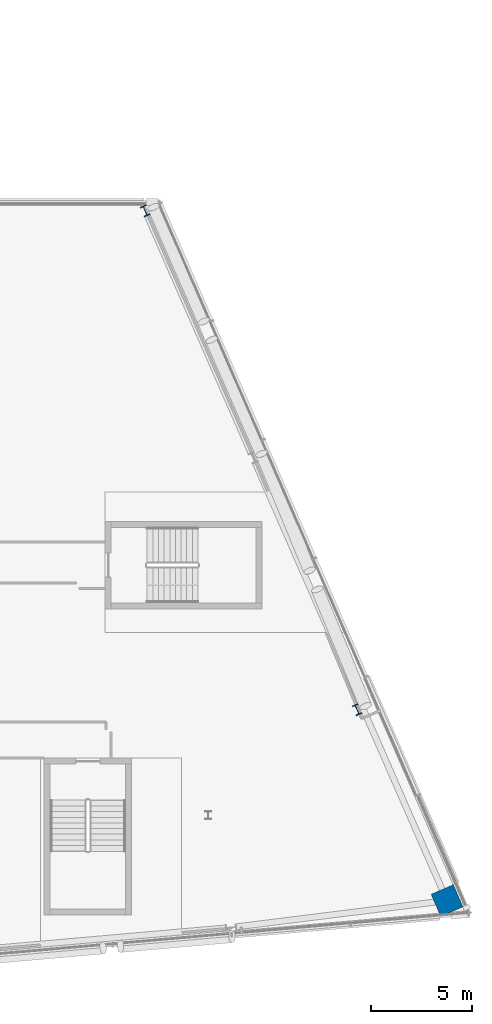
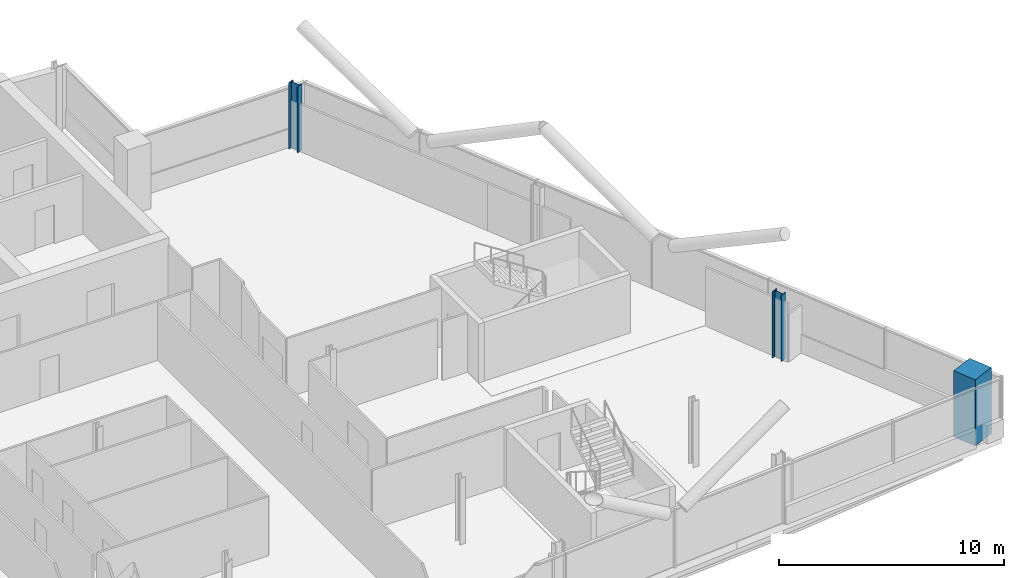
# One storey, part 4 of 26: 3 columns.
"""IFC4 building model written with IfcOpenShell, lengths in metres."""

from ifc_helpers import new_model, si_unit, direction, frame, origin, origin_2d, place, context, subcontext, project, spatial, rectangle, i_section, extrude, material, material_profile, profile_set, type_object, element, save


model = new_model("IFC4")

# Units and contexts
model_context = context("Model", 3, precision=1e-05, world=origin(), true_north=direction((0.0, 1.0)))
body_context = subcontext(model_context, "Body", "Model", "MODEL_VIEW")
ifc_project = project(units=[si_unit("LENGTHUNIT", "METRE"), si_unit("AREAUNIT", "SQUARE_METRE"), si_unit("VOLUMEUNIT", "CUBIC_METRE"), si_unit("PLANEANGLEUNIT", "RADIAN"), si_unit("MASSUNIT", "GRAM", prefix="KILO")], contexts=[model_context])

# Site, building, storey
site_placement = place(None, origin())
site = spatial("IfcSite", under=ifc_project, at=site_placement, CompositionType="ELEMENT")
building_placement = place(site_placement, origin())
building = spatial("IfcBuilding", under=site, at=building_placement, Name="Wharfspan Tower", CompositionType="ELEMENT")
storey_placement = place(building_placement, frame((0.0, 0.0, 235.899902)))
storey = spatial("IfcBuildingStorey", under=building, at=storey_placement, Name="L59", CompositionType="ELEMENT", Elevation=235.899902)

# Columns
ifc_material_1 = material(Name="Steel S355J2", Category="steel")
ifc_material_profile_1 = material_profile(ifc_material_1, i_section(OverallWidth=0.305908, OverallDepth=0.523926, WebThickness=0.020996, FlangeThickness=0.040039, FilletRadius=0.0271, at=origin_2d()))
ifc_profile_set_1 = profile_set([ifc_material_profile_1], Name="Steel S355J2")
column_type_1 = type_object("IfcColumnType", Name="Column HEM 500", PredefinedType="COLUMN", material=ifc_profile_set_1)
for number, where, z_axis, x_axis, name in (
    (1, (79.409668, 16.761719, 0.0), (0.0, 0.0, 1.0), (0.917072, 0.398727, 0.0), "Perimeter column PE.1 L59"),
    (2, (68.867188, 41.572266, 0.0), (0.0, 0.0, 1.0), (0.917072, 0.398727, 0.0), "Perimeter column PE.3 L59"),
):
    element("IfcColumn", number, at=place(storey_placement, frame(where, z_axis=z_axis, x_axis=x_axis)), inside=storey, type_object=column_type_1, Name=name, PredefinedType="COLUMN", context=body_context, shape_type="SweptSolid", body=[
        extrude(i_section(OverallWidth=0.305908, OverallDepth=0.523926, WebThickness=0.020996, FlangeThickness=0.040039, FilletRadius=0.0271, at=origin_2d()), origin(), (0.0, 0.0, 1.0), 3.600098),
    ])
ifc_material_2 = material(Name="Concrete C50/60", Category="concrete")
ifc_material_profile_2 = material_profile(ifc_material_2, rectangle(XDim=1.199951, YDim=1.199951, at=origin_2d()))
ifc_profile_set_2 = profile_set([ifc_material_profile_2], Name="Concrete C50/60")
column_type_2 = type_object("IfcColumnType", Name="Mega column 1200 C50/60", PredefinedType="COLUMN", material=ifc_profile_set_2)
column_placement = place(storey_placement, frame((83.882812, 7.264648, 0.0), z_axis=(0.0, 0.0, 1.0), x_axis=(-0.398727, 0.917072, 0.0)))
element("IfcColumn", 3, at=column_placement, inside=storey, type_object=column_type_2, Name="Mega column MC4 L59", PredefinedType="COLUMN", context=body_context, shape_type="SweptSolid", body=[
    extrude(rectangle(XDim=1.199951, YDim=1.199951, at=origin_2d()), origin(), (0.0, 0.0, 1.0), 3.600098),
])

save(model, "model.ifc")
